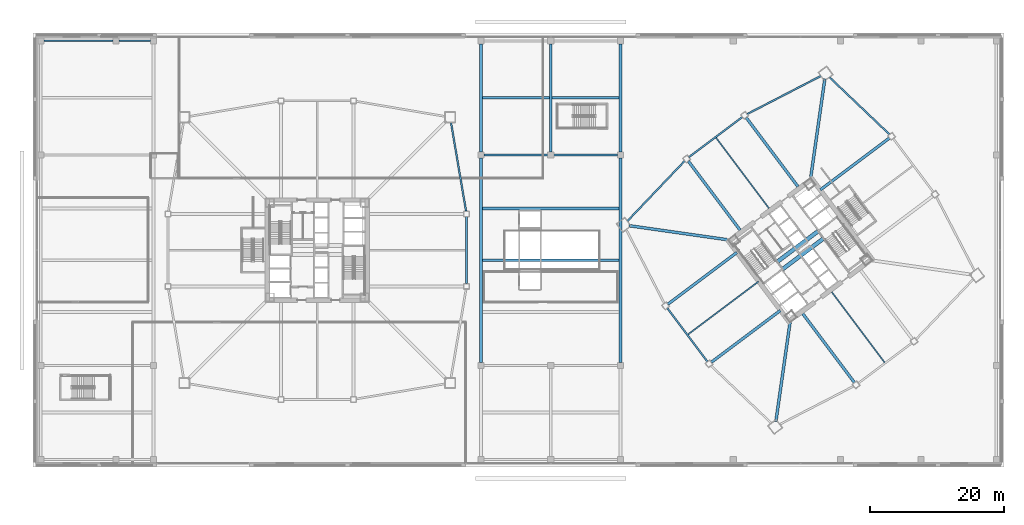
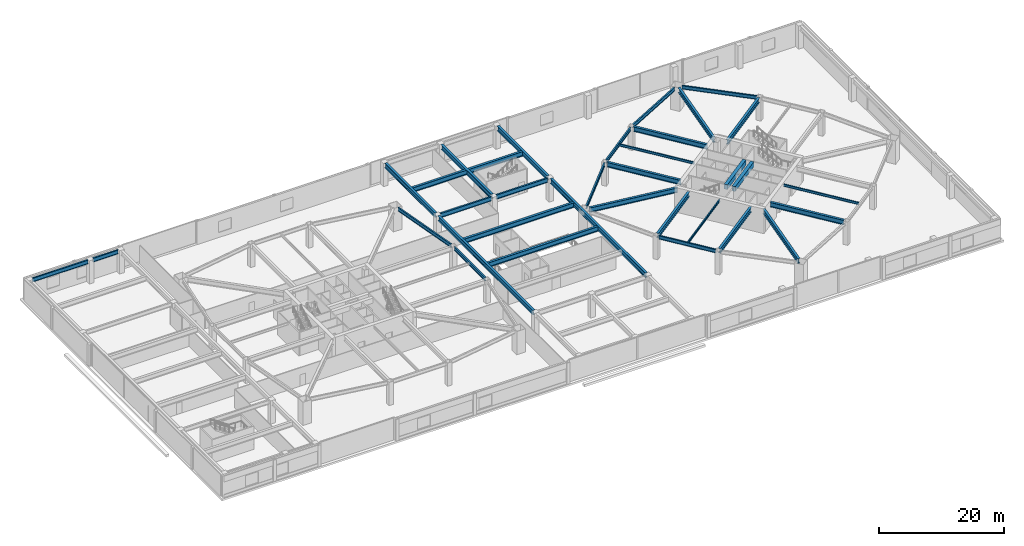
# One storey, part 20 of 44: 33 beams.
"""IFC4 building model written with IfcOpenShell, lengths in metres."""

from ifc_helpers import new_model, si_unit, direction, frame, origin, origin_2d, place, context, subcontext, project, spatial, rectangle, i_section, extrude, material, material_profile, profile_set, type_object, element, save


model = new_model("IFC4")

# Units and contexts
model_context = context("Model", 3, precision=1e-05, world=origin(), true_north=direction((0.0, 1.0)))
body_context = subcontext(model_context, "Body", "Model", "MODEL_VIEW")
ifc_project = project(units=[si_unit("LENGTHUNIT", "METRE"), si_unit("AREAUNIT", "SQUARE_METRE"), si_unit("VOLUMEUNIT", "CUBIC_METRE"), si_unit("PLANEANGLEUNIT", "RADIAN"), si_unit("MASSUNIT", "GRAM", prefix="KILO")], contexts=[model_context])

# Site, building, storey
site_placement = place(None, origin())
site = spatial("IfcSite", under=ifc_project, at=site_placement, CompositionType="ELEMENT")
building_placement = place(site_placement, origin())
building = spatial("IfcBuilding", under=site, at=building_placement, Name="Tashvorn Skyway Center", CompositionType="ELEMENT")
storey_placement = place(building_placement, frame((0.0, 0.0, 5.39990234375)))
storey = spatial("IfcBuildingStorey", under=building, at=storey_placement, Name="L01", CompositionType="ELEMENT", Elevation=5.39990234375)

# Beams
ifc_material_1 = material(Name="Steel ASTM A992 Grade 50", Category="steel")
ifc_material_profile_1 = material_profile(ifc_material_1, i_section(OverallWidth=0.26708984375, OverallDepth=0.779052734375, WebThickness=0.0166015625, FlangeThickness=0.030029296875, at=origin_2d()), Name="W30X148")
ifc_profile_set_1 = profile_set([ifc_material_profile_1], Name="Steel ASTM A992 Grade 50")
beam_type_1 = type_object("IfcBeamType", Name="BM-BEAM-W30X148", PredefinedType="BEAM", material=ifc_profile_set_1)
beam_1_placement = place(storey_placement, frame((1.2451171875, 63.199951171875, 4.150634765625), z_axis=(1.0, 0.0, 0.0), x_axis=(0.0, 1.0, 0.0)))
element("IfcBeam", 1, at=beam_1_placement, inside=storey, type_object=beam_type_1, Name="L01 West Edge Girder A 09", PredefinedType="BEAM", context=body_context, shape_type="SweptSolid", body=[
    extrude(i_section(OverallWidth=0.26708984375, OverallDepth=0.779052734375, WebThickness=0.0166015625, FlangeThickness=0.030029296875, at=origin_2d()), origin(), (0.0, 0.0, 1.0), 10.309814453125),
])
beam_2_placement = place(storey_placement, frame((12.445068359375, 63.199951171875, 4.150634765625), z_axis=(1.0, 0.0, 0.0), x_axis=(0.0, 1.0, 0.0)))
element("IfcBeam", 2, at=beam_2_placement, inside=storey, type_object=beam_type_1, Name="L01 West Edge Girder B 09", PredefinedType="BEAM", context=body_context, shape_type="SweptSolid", body=[
    extrude(i_section(OverallWidth=0.26708984375, OverallDepth=0.779052734375, WebThickness=0.0166015625, FlangeThickness=0.030029296875, at=origin_2d()), origin(), (0.0, 0.0, 1.0), 4.7099609375),
])
ifc_material_profile_2 = material_profile(ifc_material_1, i_section(OverallWidth=0.2919921875, OverallDepth=0.85888671875, WebThickness=0.01708984375, FlangeThickness=0.031005859375, at=origin_2d()), Name="W33X169")
ifc_profile_set_2 = profile_set([ifc_material_profile_2], Name="Steel ASTM A992 Grade 50")
beam_type_2 = type_object("IfcBeamType", Name="BM-BEAM-W33X169", PredefinedType="BEAM", material=ifc_profile_set_2)
beam_3_placement = place(storey_placement, frame((66.844970703125, 46.199951171875, 4.110595703125), z_axis=(1.0, 0.0, 0.0), x_axis=(0.0, 1.0, 0.0)))
element("IfcBeam", 3, at=beam_3_placement, inside=storey, type_object=beam_type_2, Name="L01 Central Podium Girder A 07", PredefinedType="BEAM", context=body_context, shape_type="SweptSolid", body=[
    extrude(i_section(OverallWidth=0.2919921875, OverallDepth=0.85888671875, WebThickness=0.01708984375, FlangeThickness=0.031005859375, at=origin_2d()), origin(), (0.0, 0.0, 1.0), 9.510009765625),
])
beam_4_placement = place(storey_placement, frame((77.2451171875, 46.199951171875, 4.110595703125), z_axis=(1.0, 0.0, 0.0), x_axis=(0.0, 1.0, 0.0)))
element("IfcBeam", 4, at=beam_4_placement, inside=storey, type_object=beam_type_2, Name="L01 Central Podium Girder B 07", PredefinedType="BEAM", context=body_context, shape_type="SweptSolid", body=[
    extrude(i_section(OverallWidth=0.2919921875, OverallDepth=0.85888671875, WebThickness=0.01708984375, FlangeThickness=0.031005859375, at=origin_2d()), origin(), (0.0, 0.0, 1.0), 9.509765625),
])
ifc_material_2 = material(Name="Steel ASTM A913 Grade 65", Category="steel")
ifc_material_profile_3 = material_profile(ifc_material_2, i_section(OverallWidth=0.4189453125, OverallDepth=0.927001953125, WebThickness=0.019287109375, FlangeThickness=0.031982421875, at=origin_2d()), Name="W36X231")
ifc_profile_set_3 = profile_set([ifc_material_profile_3], Name="Steel ASTM A913 Grade 65")
beam_type_3 = type_object("IfcBeamType", Name="BM-BEAM-W36X231", PredefinedType="BEAM", material=ifc_profile_set_3)
for number, where, z_axis, x_axis, name in (
    (5, (110.3525390625, 6.467041015625, 4.07666015625), (0.141414599991, 0.989950458816, 0.0), (-0.989950458816, 0.141414599991, 0.0), "Tower 2 L01 Primary Floor Girder MC-SW"),
    (6, (117.6474609375, 57.532958984375, 4.07666015625), (-0.141414599991, -0.989950458816, 0.0), (0.989950458816, -0.141414599991, 0.0), "Tower 2 L01 Primary Floor Girder MC-NE"),
    (7, (88.467041015625, 35.6474609375, 4.07666015625), (0.989950458816, -0.141414599991, 0.0), (0.141414599991, 0.989950458816, 0.0), "Tower 2 L01 Primary Floor Girder MC-NW"),
):
    element("IfcBeam", number, at=place(storey_placement, frame(where, z_axis=z_axis, x_axis=x_axis)), inside=storey, type_object=beam_type_3, Name=name, PredefinedType="BEAM", context=body_context, shape_type="SweptSolid", body=[
        extrude(i_section(OverallWidth=0.4189453125, OverallDepth=0.927001953125, WebThickness=0.019287109375, FlangeThickness=0.031982421875, at=origin_2d()), origin(), (0.0, 0.0, 1.0), 15.177001953125),
    ])
beam_5_placement = place(storey_placement, frame((122.05810546875, 12.256103515625, 4.07666015625), z_axis=(-0.600018239213, 0.799986320265, 0.0), x_axis=(-0.799986320265, -0.600018239213, 0.0)))
element("IfcBeam", 8, at=beam_5_placement, inside=storey, type_object=beam_type_3, Name="Tower 2 L01 Primary Floor Girder FC-S1", PredefinedType="BEAM", context=body_context, shape_type="SweptSolid", body=[
    extrude(i_section(OverallWidth=0.4189453125, OverallDepth=0.927001953125, WebThickness=0.019287109375, FlangeThickness=0.031982421875, at=origin_2d()), origin(), (0.0, 0.0, 1.0), 12.849853515625),
])
beam_6_placement = place(storey_placement, frame((127.263916015625, 48.697998046875, 4.07666015625), z_axis=(-0.800002279907, -0.599996960112, 0.0), x_axis=(0.599996960112, -0.800002279907, 0.0)))
element("IfcBeam", 9, at=beam_6_placement, inside=storey, type_object=beam_type_3, Name="Tower 2 L01 Primary Floor Girder FC-E2", PredefinedType="BEAM", context=body_context, shape_type="SweptSolid", body=[
    extrude(i_section(OverallWidth=0.4189453125, OverallDepth=0.927001953125, WebThickness=0.019287109375, FlangeThickness=0.031982421875, at=origin_2d()), origin(), (0.0, 0.0, 1.0), 12.85009765625),
])
beam_7_placement = place(storey_placement, frame((105.94189453125, 51.743896484375, 4.07666015625), z_axis=(0.600018239213, -0.799986320265, 0.0), x_axis=(0.799986320265, 0.600018239213, 0.0)))
element("IfcBeam", 10, at=beam_7_placement, inside=storey, type_object=beam_type_3, Name="Tower 2 L01 Primary Floor Girder FC-N1", PredefinedType="BEAM", context=body_context, shape_type="SweptSolid", body=[
    extrude(i_section(OverallWidth=0.4189453125, OverallDepth=0.927001953125, WebThickness=0.019287109375, FlangeThickness=0.031982421875, at=origin_2d()), origin(), (0.0, 0.0, 1.0), 12.849853515625),
])
beam_8_placement = place(storey_placement, frame((97.302001953125, 45.263916015625, 4.07666015625), z_axis=(0.599996960112, -0.800002279907, 0.0), x_axis=(0.800002279907, 0.599996960112, 0.0)))
element("IfcBeam", 11, at=beam_8_placement, inside=storey, type_object=beam_type_3, Name="Tower 2 L01 Primary Floor Girder FC-N2", PredefinedType="BEAM", context=body_context, shape_type="SweptSolid", body=[
    extrude(i_section(OverallWidth=0.4189453125, OverallDepth=0.927001953125, WebThickness=0.019287109375, FlangeThickness=0.031982421875, at=origin_2d()), origin(), (0.0, 0.0, 1.0), 12.85009765625),
])
beam_9_placement = place(storey_placement, frame((94.256103515625, 23.94189453125, 4.07666015625), z_axis=(0.799986320265, 0.600018239213, 0.0), x_axis=(-0.600018239213, 0.799986320265, 0.0)))
element("IfcBeam", 12, at=beam_9_placement, inside=storey, type_object=beam_type_3, Name="Tower 2 L01 Primary Floor Girder FC-W1", PredefinedType="BEAM", context=body_context, shape_type="SweptSolid", body=[
    extrude(i_section(OverallWidth=0.4189453125, OverallDepth=0.927001953125, WebThickness=0.019287109375, FlangeThickness=0.031982421875, at=origin_2d()), origin(), (0.0, 0.0, 1.0), 12.849853515625),
])
beam_10_placement = place(storey_placement, frame((100.736083984375, 15.302001953125, 4.07666015625), z_axis=(0.800002279907, 0.599996960112, 0.0), x_axis=(-0.599996960112, 0.800002279907, 0.0)))
element("IfcBeam", 13, at=beam_10_placement, inside=storey, type_object=beam_type_3, Name="Tower 2 L01 Primary Floor Girder FC-W2", PredefinedType="BEAM", context=body_context, shape_type="SweptSolid", body=[
    extrude(i_section(OverallWidth=0.4189453125, OverallDepth=0.927001953125, WebThickness=0.019287109375, FlangeThickness=0.031982421875, at=origin_2d()), origin(), (0.0, 0.0, 1.0), 12.85009765625),
])
beam_11_placement = place(storey_placement, frame((66.39990234375, 15.2451171875, 4.07666015625), z_axis=(0.0, 1.0, 0.0), x_axis=(-1.0, 0.0, 0.0)))
element("IfcBeam", 14, at=beam_11_placement, inside=storey, type_object=beam_type_3, Name="L01 North-South Podium Girder 03-M", PredefinedType="BEAM", context=body_context, shape_type="SweptSolid", body=[
    extrude(i_section(OverallWidth=0.4189453125, OverallDepth=0.927001953125, WebThickness=0.019287109375, FlangeThickness=0.031982421875, at=origin_2d()), origin(), (0.0, 0.0, 1.0), 30.509765625),
])
for number, where, z_axis, x_axis, name in (
    (15, (66.39990234375, 46.64501953125, 4.07666015625), (0.0, 1.0, 0.0), (-1.0, 0.0, 0.0), "L01 North-South Podium Girder 03-N"),
    (16, (76.800048828125, 46.64501953125, 4.07666015625), (0.0, 1.0, 0.0), (-1.0, 0.0, 0.0), "L01 North-South Podium Girder 04-N"),
):
    element("IfcBeam", number, at=place(storey_placement, frame(where, z_axis=z_axis, x_axis=x_axis)), inside=storey, type_object=beam_type_3, Name=name, PredefinedType="BEAM", context=body_context, shape_type="SweptSolid", body=[
        extrude(i_section(OverallWidth=0.4189453125, OverallDepth=0.927001953125, WebThickness=0.019287109375, FlangeThickness=0.031982421875, at=origin_2d()), origin(), (0.0, 0.0, 1.0), 16.10986328125),
    ])
beam_12_placement = place(storey_placement, frame((87.199951171875, 15.2451171875, 4.07666015625), z_axis=(0.0, 1.0, 0.0), x_axis=(-1.0, 0.0, 0.0)))
element("IfcBeam", 17, at=beam_12_placement, inside=storey, type_object=beam_type_3, Name="L01 North-South Podium Girder 05-M", PredefinedType="BEAM", context=body_context, shape_type="SweptSolid", body=[
    extrude(i_section(OverallWidth=0.4189453125, OverallDepth=0.927001953125, WebThickness=0.019287109375, FlangeThickness=0.031982421875, at=origin_2d()), origin(), (0.0, 0.0, 1.0), 30.509765625),
])
beam_13_placement = place(storey_placement, frame((87.199951171875, 46.64501953125, 4.07666015625), z_axis=(0.0, 1.0, 0.0), x_axis=(-1.0, 0.0, 0.0)))
element("IfcBeam", 18, at=beam_13_placement, inside=storey, type_object=beam_type_3, Name="L01 North-South Podium Girder 05-N", PredefinedType="BEAM", context=body_context, shape_type="SweptSolid", body=[
    extrude(i_section(OverallWidth=0.4189453125, OverallDepth=0.927001953125, WebThickness=0.019287109375, FlangeThickness=0.031982421875, at=origin_2d()), origin(), (0.0, 0.0, 1.0), 16.10986328125),
])
for number, where, z_axis, x_axis, name in (
    (19, (66.6015625, 30.5, 4.07666015625), (1.0, 0.0, 0.0), (0.0, 1.0, 0.0), "L01 Central Concourse Span Girder 05"),
    (20, (66.6015625, 38.199951171875, 4.07666015625), (1.0, 0.0, 0.0), (0.0, 1.0, 0.0), "L01 Central Concourse Span Girder 06"),
    (21, (66.6015625, 54.699951171875, 4.07666015625), (1.0, 0.0, 0.0), (0.0, 1.0, 0.0), "L01 Central Concourse Span Girder 08"),
):
    element("IfcBeam", number, at=place(storey_placement, frame(where, z_axis=z_axis, x_axis=x_axis)), inside=storey, type_object=beam_type_3, Name=name, PredefinedType="BEAM", context=body_context, shape_type="SweptSolid", body=[
        extrude(i_section(OverallWidth=0.4189453125, OverallDepth=0.927001953125, WebThickness=0.019287109375, FlangeThickness=0.031982421875, at=origin_2d()), origin(), (0.0, 0.0, 1.0), 20.39697265625),
    ])
ifc_material_profile_4 = material_profile(ifc_material_1, i_section(OverallWidth=0.19091796875, OverallDepth=0.4599609375, WebThickness=0.010009765625, FlangeThickness=0.01611328125, at=origin_2d()), Name="W18X55")
ifc_profile_set_4 = profile_set([ifc_material_profile_4], Name="Steel ASTM A992 Grade 50")
beam_type_4 = type_object("IfcBeamType", Name="BM-JOIST-W18X55", PredefinedType="JOIST", material=ifc_profile_set_4)
for number, where, z_axis, x_axis, name in (
    (22, (118.674072265625, 25.76806640625, 4.31005859375), (0.600002972791, -0.799997770398, 0.0), (0.799997770398, 0.600002972791, 0.0), "Tower 2 L01 Secondary Composite Joist JS"),
    (23, (109.325927734375, 38.23193359375, 4.31005859375), (-0.600002972791, 0.799997770398, 0.0), (-0.799997770398, -0.600002972791, 0.0), "Tower 2 L01 Secondary Composite Joist JN"),
    (24, (107.76806640625, 27.325927734375, 4.31005859375), (-0.799997770398, -0.600002972791, 0.0), (0.600002972791, -0.799997770398, 0.0), "Tower 2 L01 Secondary Composite Joist JW"),
):
    element("IfcBeam", number, at=place(storey_placement, frame(where, z_axis=z_axis, x_axis=x_axis)), inside=storey, type_object=beam_type_4, Name=name, PredefinedType="JOIST", context=body_context, shape_type="SweptSolid", body=[
        extrude(i_section(OverallWidth=0.19091796875, OverallDepth=0.4599609375, WebThickness=0.010009765625, FlangeThickness=0.01611328125, at=origin_2d()), origin(), (0.0, 0.0, 1.0), 13.139892578125),
    ])
ifc_material_3 = material(Name="Concrete C60/75", Category="concrete")
ifc_material_profile_5 = material_profile(ifc_material_3, rectangle(XDim=0.60009765625, YDim=0.949951171875, at=origin_2d()), Name="RCB600x950")
ifc_profile_set_5 = profile_set([ifc_material_profile_5], Name="Concrete C60/75")
beam_type_5 = type_object("IfcBeamType", Name="BM-LINTEL-RCB600x950", PredefinedType="LINTEL", material=ifc_profile_set_5)
for number, where, z_axis, x_axis, name in (
    (25, (110.552001953125, 30.263916015625, 4.065185546875), (0.8, 0.6, 0.0), (-0.6, 0.8, 0.0), "Tower 2 L01 Core Coupling Beam CN"),
    (26, (111.367919921875, 29.176025390625, 4.065185546875), (0.8, 0.6, 0.0), (-0.6, 0.8, 0.0), "Tower 2 L01 Core Coupling Beam CS"),
):
    element("IfcBeam", number, at=place(storey_placement, frame(where, z_axis=z_axis, x_axis=x_axis)), inside=storey, type_object=beam_type_5, Name=name, PredefinedType="LINTEL", context=body_context, shape_type="SweptSolid", body=[
        extrude(rectangle(XDim=0.60009765625, YDim=0.949951171875, at=origin_2d()), origin(), (0.0, 0.0, 1.0), 7.60009765625),
    ])
ifc_material_profile_6 = material_profile(ifc_material_1, i_section(OverallWidth=0.256103515625, OverallDepth=0.693115234375, WebThickness=0.014404296875, FlangeThickness=0.023681640625, at=origin_2d()), Name="W27X114")
ifc_profile_set_6 = profile_set([ifc_material_profile_6], Name="Steel ASTM A992 Grade 50")
beam_type_6 = type_object("IfcBeamType", Name="BM-SPANDREL-W27X114", PredefinedType="SPANDREL", material=ifc_profile_set_6)
beam_14_placement = place(storey_placement, frame((64.25, 27.02001953125, 4.193603515625), z_axis=(0.0, 1.0, 0.0), x_axis=(-1.0, 0.0, 0.0)))
element("IfcBeam", 27, at=beam_14_placement, inside=storey, type_object=beam_type_6, Name="Tower 1 L01 Spandrel Beam 05", PredefinedType="SPANDREL", context=body_context, shape_type="SweptSolid", body=[
    extrude(i_section(OverallWidth=0.256103515625, OverallDepth=0.693115234375, WebThickness=0.014404296875, FlangeThickness=0.023681640625, at=origin_2d()), origin(), (0.0, 0.0, 1.0), 9.9599609375),
])
beam_15_placement = place(storey_placement, frame((64.179443359375, 37.81396484375, 4.193603515625), z_axis=(-0.16771792509, 0.985835025551, 0.0), x_axis=(-0.985835025551, -0.16771792509, 0.0)))
element("IfcBeam", 28, at=beam_15_placement, inside=storey, type_object=beam_type_6, Name="Tower 1 L01 Spandrel Beam 06", PredefinedType="SPANDREL", context=body_context, shape_type="SweptSolid", body=[
    extrude(i_section(OverallWidth=0.256103515625, OverallDepth=0.693115234375, WebThickness=0.014404296875, FlangeThickness=0.023681640625, at=origin_2d()), origin(), (0.0, 0.0, 1.0), 13.39208984375),
])
for number, where, z_axis, x_axis, name in (
    (29, (127.2958984375, 49.23974609375, 4.193603515625), (-0.724200339835, 0.689589637236, 0.0), (-0.689589637236, -0.724200339835, 0.0), "Tower 2 L01 Spandrel Beam 06"),
    (30, (117.0537109375, 57.954833984375, 4.193603515625), (-0.888315637339, -0.459233413919, 0.0), (0.459233413919, -0.888315637339, 0.0), "Tower 2 L01 Spandrel Beam 07"),
):
    element("IfcBeam", number, at=place(storey_placement, frame(where, z_axis=z_axis, x_axis=x_axis)), inside=storey, type_object=beam_type_6, Name=name, PredefinedType="SPANDREL", context=body_context, shape_type="SweptSolid", body=[
        extrude(i_section(OverallWidth=0.256103515625, OverallDepth=0.693115234375, WebThickness=0.014404296875, FlangeThickness=0.023681640625, at=origin_2d()), origin(), (0.0, 0.0, 1.0), 12.37255859375),
    ])
beam_16_placement = place(storey_placement, frame((105.35400390625, 51.827880859375, 4.193603515625), z_axis=(-0.800008824351, -0.599988234018, 0.0), x_axis=(0.599988234018, -0.800008824351, 0.0)))
element("IfcBeam", 31, at=beam_16_placement, inside=storey, type_object=beam_type_6, Name="Tower 2 L01 Spandrel Beam 08", PredefinedType="SPANDREL", context=body_context, shape_type="SweptSolid", body=[
    extrude(i_section(OverallWidth=0.256103515625, OverallDepth=0.693115234375, WebThickness=0.014404296875, FlangeThickness=0.023681640625, at=origin_2d()), origin(), (0.0, 0.0, 1.0), 9.9599609375),
])
beam_17_placement = place(storey_placement, frame((96.76025390625, 45.2958984375, 4.193603515625), z_axis=(-0.689589637236, -0.724200339835, 0.0), x_axis=(0.724200339835, -0.689589637236, 0.0)))
element("IfcBeam", 32, at=beam_17_placement, inside=storey, type_object=beam_type_6, Name="Tower 2 L01 Spandrel Beam 09", PredefinedType="SPANDREL", context=body_context, shape_type="SweptSolid", body=[
    extrude(i_section(OverallWidth=0.256103515625, OverallDepth=0.693115234375, WebThickness=0.014404296875, FlangeThickness=0.023681640625, at=origin_2d()), origin(), (0.0, 0.0, 1.0), 12.37255859375),
])
beam_18_placement = place(storey_placement, frame((94.172119140625, 23.35400390625, 4.193603515625), z_axis=(0.599988234018, -0.800008824351, 0.0), x_axis=(0.800008824351, 0.599988234018, 0.0)))
element("IfcBeam", 33, at=beam_18_placement, inside=storey, type_object=beam_type_6, Name="Tower 2 L01 Spandrel Beam 11", PredefinedType="SPANDREL", context=body_context, shape_type="SweptSolid", body=[
    extrude(i_section(OverallWidth=0.256103515625, OverallDepth=0.693115234375, WebThickness=0.014404296875, FlangeThickness=0.023681640625, at=origin_2d()), origin(), (0.0, 0.0, 1.0), 9.9599609375),
])

save(model, "model.ifc")
